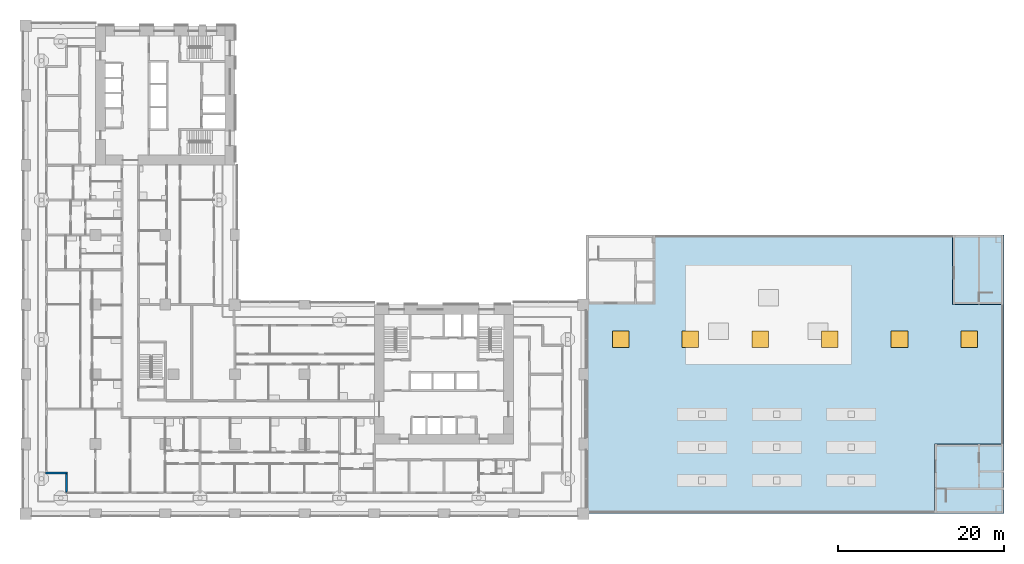
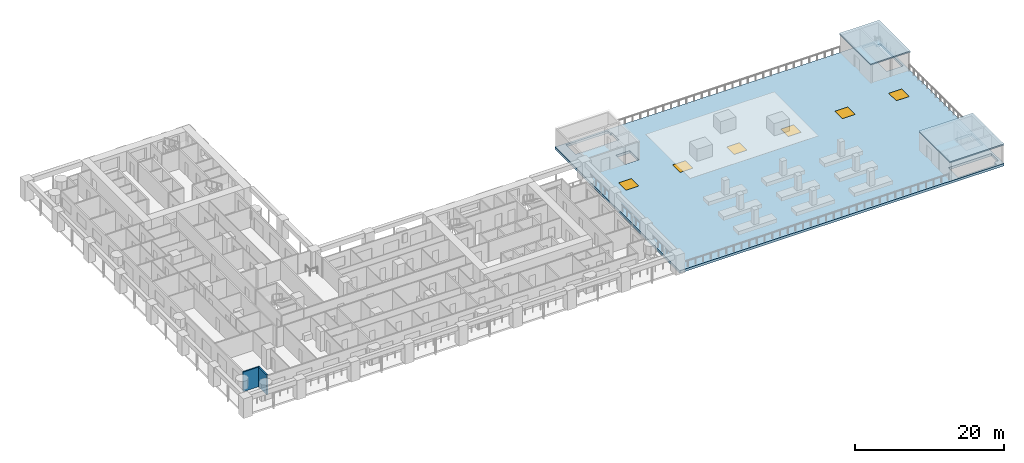
# One storey, part 2 of 23: 6 windows, 3 slabs, 2 walls, 6 openings.
"""IFC4 building model written with IfcOpenShell, lengths in metres."""

from ifc_helpers import new_model, si_unit, direction, frame, frame_2d, origin, origin_2d, place, context, subcontext, project, spatial, polyline, rectangle, outline, extrude, material, layer, layer_set, type_object, element, fill, save


model = new_model("IFC4")

# Units and contexts
model_context = context("Model", 3, precision=1e-05, world=origin(), true_north=direction((0.0, 1.0)))
body_context = subcontext(model_context, "Body", "Model", "MODEL_VIEW")
ifc_project = project(units=[si_unit("LENGTHUNIT", "METRE"), si_unit("AREAUNIT", "SQUARE_METRE"), si_unit("VOLUMEUNIT", "CUBIC_METRE"), si_unit("PLANEANGLEUNIT", "RADIAN"), si_unit("MASSUNIT", "GRAM", prefix="KILO")], contexts=[model_context])

# Site, building, storey
site_placement = place(None, origin())
site = spatial("IfcSite", under=ifc_project, at=site_placement, CompositionType="ELEMENT")
building_placement = place(site_placement, origin())
building = spatial("IfcBuilding", under=site, at=building_placement, Name="Vermilion Gate Residences", CompositionType="ELEMENT")
storey_placement = place(building_placement, frame((0.0, 0.0, 25.199951171875)))
storey = spatial("IfcBuildingStorey", under=building, at=storey_placement, Name="L04", CompositionType="ELEMENT", Elevation=25.199951171875)

# Slabs
ifc_material_1 = material(Name="Concrete C35", Category="concrete")
ifc_layer_1 = layer(ifc_material_1, 0.199951171875)
ifc_layer_set_1 = layer_set([ifc_layer_1], Name="HEAD-HOUSE ROOF SLAB 200 C35 (MARKET HALL)")
slab_type_1 = type_object("IfcSlabType", Name="HEAD-HOUSE ROOF SLAB 200 C35 (MARKET HALL)", PredefinedType="ROOF", material=ifc_layer_set_1)
slab_1_placement = place(storey_placement, frame((0.0, 0.0, 3.0)))
element("IfcSlab", 1, at=slab_1_placement, inside=storey, type_object=slab_type_1, Name="Head-house roof B", PredefinedType="ROOF", context=body_context, shape_type="SweptSolid", body=[
    extrude(outline(polyline([(117.89990234375, 0.0), (117.89990234375, 8.39990234375), (109.5, 8.39990234375), (109.5, 0.0), (117.89990234375, 0.0)])), origin(), (0.0, 0.0, 1.0), 0.199951171875),
])
slab_2_placement = place(storey_placement, frame((0.0, 0.0, 3.0)))
element("IfcSlab", 2, at=slab_2_placement, inside=storey, type_object=slab_type_1, Name="Head-house roof C", PredefinedType="ROOF", context=body_context, shape_type="SweptSolid", body=[
    extrude(outline(polyline([(117.89990234375, 25.199951171875), (117.89990234375, 33.60009765625), (111.699951171875, 33.60009765625), (111.699951171875, 25.199951171875), (117.89990234375, 25.199951171875)])), origin(), (0.0, 0.0, 1.0), 0.199951171875),
])

# Slab, openings, windows
ifc_material_2 = material(Name="Concrete C35", Category="concrete")
ifc_layer_2 = layer(ifc_material_2, 0.39990234375)
ifc_layer_set_2 = layer_set([ifc_layer_2], Name="ROOF TERRACE SLAB 400 C35 (MARKET HALL)")
slab_type_2 = type_object("IfcSlabType", Name="ROOF TERRACE SLAB 400 C35 (MARKET HALL)", PredefinedType="ROOF", material=ifc_layer_set_2)
slab_3_placement = place(storey_placement, frame((0.0, 0.0, -0.39990234375)))
slab_3 = element("IfcSlab", 3, at=slab_3_placement, inside=storey, type_object=slab_type_2, Name="Roof terrace slab", PredefinedType="ROOF", context=body_context, shape_type="SweptSolid", body=[
    extrude(outline(polyline([(67.5, 0.0), (117.89990234375, 0.0), (117.89990234375, 33.60009765625), (67.5, 33.60009765625), (67.5, 0.0)]), holes=[polyline([(110.925048828125, 2.875), (117.60009765625, 2.875), (117.60009765625, 0.949951171875), (116.949951171875, 0.949951171875), (116.949951171875, 0.300048828125), (110.925048828125, 0.300048828125), (110.925048828125, 2.875)]), polyline([(115.02490234375, 5.22509765625), (115.02490234375, 8.27490234375), (117.64990234375, 8.27490234375), (117.64990234375, 5.22509765625), (115.02490234375, 5.22509765625)]), polyline([(73.625, 25.324951171875), (73.625, 27.77490234375), (75.77490234375, 27.77490234375), (75.77490234375, 25.324951171875), (73.625, 25.324951171875)]), polyline([(115.02490234375, 33.300048828125), (116.949951171875, 33.300048828125), (116.949951171875, 32.64990234375), (117.60009765625, 32.64990234375), (117.60009765625, 26.625), (115.02490234375, 26.625), (115.02490234375, 33.300048828125)]), polyline([(69.050048828125, 33.300048828125), (75.550048828125, 33.300048828125), (75.550048828125, 32.64990234375), (75.77490234375, 32.64990234375), (75.77490234375, 30.72509765625), (69.050048828125, 30.72509765625), (69.050048828125, 33.300048828125)])]), origin(), (0.0, 0.0, 1.0), 0.39990234375),
])
opening_1_placement = place(slab_3_placement, frame((71.699951171875, 21.0, 0.0)))
opening_1 = element("IfcOpeningElement", 4, at=opening_1_placement, cuts=slab_3, Name="Opening WH04001", PredefinedType="OPENING", context=body_context, shape_type="SweptSolid", body=[
    extrude(rectangle(XDim=2.0, YDim=2.0, at=origin_2d()), origin(), (0.0, 0.0, 1.0), 0.39990234375),
])
opening_2_placement = place(slab_3_placement, frame((80.10009765625, 21.0, 0.0)))
opening_2 = element("IfcOpeningElement", 5, at=opening_2_placement, cuts=slab_3, Name="Opening WH04002", PredefinedType="OPENING", context=body_context, shape_type="SweptSolid", body=[
    extrude(rectangle(XDim=2.0, YDim=2.0, at=origin_2d()), origin(), (0.0, 0.0, 1.0), 0.39990234375),
])
opening_3_placement = place(slab_3_placement, frame((88.5, 21.0, 0.0)))
opening_3 = element("IfcOpeningElement", 6, at=opening_3_placement, cuts=slab_3, Name="Opening WH04003", PredefinedType="OPENING", context=body_context, shape_type="SweptSolid", body=[
    extrude(rectangle(XDim=2.0, YDim=2.0, at=origin_2d()), origin(), (0.0, 0.0, 1.0), 0.39990234375),
])
opening_4_placement = place(slab_3_placement, frame((96.89990234375, 21.0, 0.0)))
opening_4 = element("IfcOpeningElement", 7, at=opening_4_placement, cuts=slab_3, Name="Opening WH04004", PredefinedType="OPENING", context=body_context, shape_type="SweptSolid", body=[
    extrude(rectangle(XDim=2.0, YDim=2.0, at=origin_2d()), origin(), (0.0, 0.0, 1.0), 0.39990234375),
])
opening_5_placement = place(slab_3_placement, frame((105.300048828125, 21.0, 0.0)))
opening_5 = element("IfcOpeningElement", 8, at=opening_5_placement, cuts=slab_3, Name="Opening WH04005", PredefinedType="OPENING", context=body_context, shape_type="SweptSolid", body=[
    extrude(rectangle(XDim=2.0, YDim=2.0, at=origin_2d()), origin(), (0.0, 0.0, 1.0), 0.39990234375),
])
opening_6_placement = place(slab_3_placement, frame((113.699951171875, 21.0, 0.0)))
opening_6 = element("IfcOpeningElement", 9, at=opening_6_placement, cuts=slab_3, Name="Opening WH04006", PredefinedType="OPENING", context=body_context, shape_type="SweptSolid", body=[
    extrude(rectangle(XDim=2.0, YDim=2.0, at=origin_2d()), origin(), (0.0, 0.0, 1.0), 0.39990234375),
])
ifc_material_3 = material(Name="Laminated clear glass in aluminium frame", Category="aluminium")
window_type = type_object("IfcWindowType", Name="ROOFLIGHT 2000 X 2000", PartitioningType="SINGLE_PANEL", PredefinedType="SKYLIGHT", material=ifc_material_3)
window_1_placement = place(opening_1_placement, frame((0.0, 0.0, 0.349853515625)))
window_1 = element("IfcWindow", 10, at=window_1_placement, inside=storey, type_object=window_type, Name="Rooflight", OverallHeight=2.0, OverallWidth=2.0, PartitioningType="SINGLE_PANEL", PredefinedType="SKYLIGHT", context=body_context, shape_type="SweptSolid", body=[
    extrude(rectangle(XDim=2.0, YDim=2.0, at=origin_2d()), origin(), (0.0, 0.0, 1.0), 0.050048828125),
])
fill(opening_1, window_1)
window_2_placement = place(opening_2_placement, frame((0.0, 0.0, 0.349853515625)))
window_2 = element("IfcWindow", 11, at=window_2_placement, inside=storey, type_object=window_type, Name="Rooflight", OverallHeight=2.0, OverallWidth=2.0, PartitioningType="SINGLE_PANEL", PredefinedType="SKYLIGHT", context=body_context, shape_type="SweptSolid", body=[
    extrude(rectangle(XDim=2.0, YDim=2.0, at=origin_2d()), origin(), (0.0, 0.0, 1.0), 0.050048828125),
])
fill(opening_2, window_2)
window_3_placement = place(opening_3_placement, frame((0.0, 0.0, 0.349853515625)))
window_3 = element("IfcWindow", 12, at=window_3_placement, inside=storey, type_object=window_type, Name="Rooflight", OverallHeight=2.0, OverallWidth=2.0, PartitioningType="SINGLE_PANEL", PredefinedType="SKYLIGHT", context=body_context, shape_type="SweptSolid", body=[
    extrude(rectangle(XDim=2.0, YDim=2.0, at=origin_2d()), origin(), (0.0, 0.0, 1.0), 0.050048828125),
])
fill(opening_3, window_3)
window_4_placement = place(opening_4_placement, frame((0.0, 0.0, 0.349853515625)))
window_4 = element("IfcWindow", 13, at=window_4_placement, inside=storey, type_object=window_type, Name="Rooflight", OverallHeight=2.0, OverallWidth=2.0, PartitioningType="SINGLE_PANEL", PredefinedType="SKYLIGHT", context=body_context, shape_type="SweptSolid", body=[
    extrude(rectangle(XDim=2.0, YDim=2.0, at=origin_2d()), origin(), (0.0, 0.0, 1.0), 0.050048828125),
])
fill(opening_4, window_4)
window_5_placement = place(opening_5_placement, frame((0.0, 0.0, 0.349853515625)))
window_5 = element("IfcWindow", 14, at=window_5_placement, inside=storey, type_object=window_type, Name="Rooflight", OverallHeight=2.0, OverallWidth=2.0, PartitioningType="SINGLE_PANEL", PredefinedType="SKYLIGHT", context=body_context, shape_type="SweptSolid", body=[
    extrude(rectangle(XDim=2.0, YDim=2.0, at=origin_2d()), origin(), (0.0, 0.0, 1.0), 0.050048828125),
])
fill(opening_5, window_5)
window_6_placement = place(opening_6_placement, frame((0.0, 0.0, 0.349853515625)))
window_6 = element("IfcWindow", 15, at=window_6_placement, inside=storey, type_object=window_type, Name="Rooflight", OverallHeight=2.0, OverallWidth=2.0, PartitioningType="SINGLE_PANEL", PredefinedType="SKYLIGHT", context=body_context, shape_type="SweptSolid", body=[
    extrude(rectangle(XDim=2.0, YDim=2.0, at=origin_2d()), origin(), (0.0, 0.0, 1.0), 0.050048828125),
])
fill(opening_6, window_6)

# Walls
ifc_material_4 = material(Name="Insulated steel stud wall with terracotta rainscreen", Category="masonry")
ifc_layer_3 = layer(ifc_material_4, 0.199951171875)
ifc_layer_set_3 = layer_set([ifc_layer_3], Name="EXTERNAL WALL 200 TERRACOTTA RAINSCREEN")
wall_type = type_object("IfcWallType", Name="EXTERNAL WALL 200 TERRACOTTA RAINSCREEN", PredefinedType="SOLIDWALL", material=ifc_layer_set_3)
wall_1_placement = place(storey_placement, frame((2.39990234375, 4.89990234375, 0.0), z_axis=(0.0, 0.0, 1.0), x_axis=(1.0, 0.0, 0.0)))
element("IfcWall", 16, at=wall_1_placement, inside=storey, type_object=wall_type, Name="External wall", PredefinedType="SOLIDWALL", context=body_context, shape_type="SweptSolid", body=[
    extrude(rectangle(XDim=2.60009765625, YDim=0.199951171875, at=frame_2d((1.300048828125, 0.0))), origin(), (0.0, 0.0, 1.0), 3.219970703125),
])
wall_2_placement = place(storey_placement, frame((4.89990234375, 4.800048828125, 0.0), z_axis=(0.0, 0.0, 1.0), x_axis=(0.0, -1.0, 0.0)))
element("IfcWall", 17, at=wall_2_placement, inside=storey, type_object=wall_type, Name="External wall", PredefinedType="SOLIDWALL", context=body_context, shape_type="SweptSolid", body=[
    extrude(rectangle(XDim=2.199951171875, YDim=0.199951171875, at=frame_2d((1.10009765625, 0.0))), origin(), (0.0, 0.0, 1.0), 3.219970703125),
])

save(model, "model.ifc")
